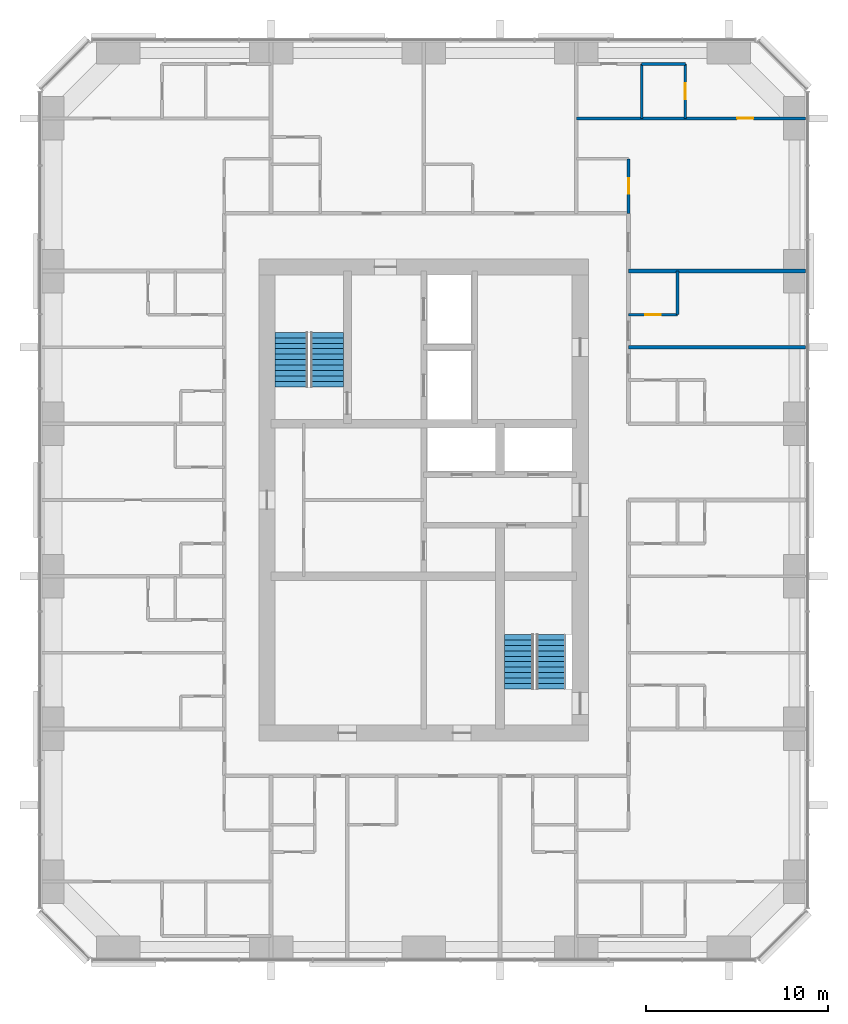
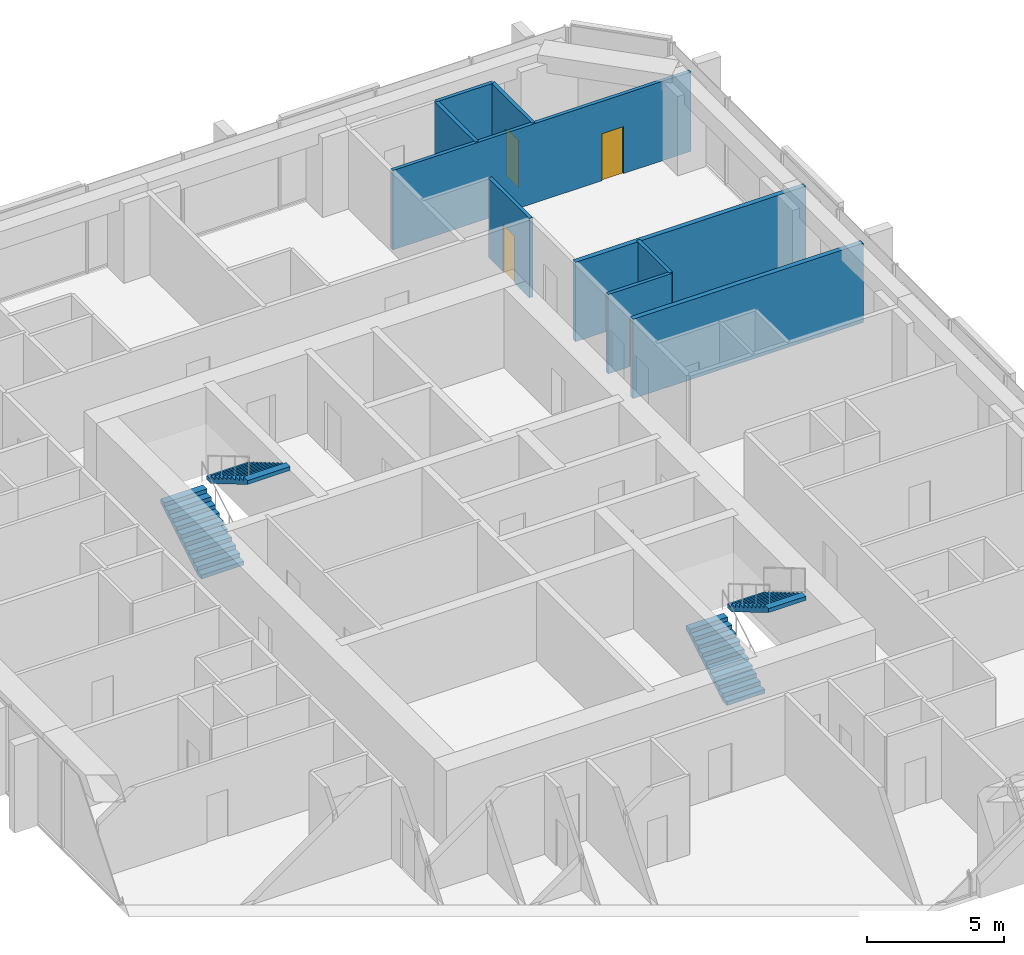
# One storey, part 11 of 12: 9 walls, 4 doors, 4 stair flights, 4 openings, 2 elements without a shape of their own.
"""IFC4 building model written with IfcOpenShell, lengths in metres."""

from ifc_helpers import new_model, si_unit, direction, frame, frame_2d, origin, place, context, subcontext, project, spatial, polyline, rectangle, outline, extrude, material, layer, layer_set, type_object, element, fill, aggregate, save


model = new_model("IFC4")

# Units and contexts
model_context = context("Model", 3, precision=1e-05, world=origin(), true_north=direction((0.0, 1.0)))
body_context = subcontext(model_context, "Body", "Model", "MODEL_VIEW")
ifc_project = project(units=[si_unit("LENGTHUNIT", "METRE"), si_unit("AREAUNIT", "SQUARE_METRE"), si_unit("VOLUMEUNIT", "CUBIC_METRE"), si_unit("PLANEANGLEUNIT", "RADIAN"), si_unit("MASSUNIT", "GRAM", prefix="KILO")], contexts=[model_context])

# Site, building, storey
site_placement = place(None, origin())
site = spatial("IfcSite", under=ifc_project, at=site_placement, CompositionType="ELEMENT")
building_placement = place(site_placement, origin())
building = spatial("IfcBuilding", under=site, at=building_placement, Name="Dunama Terrace Hotel", CompositionType="ELEMENT")
storey_placement = place(building_placement, frame((0.0, 0.0, 233.39990234375)))
storey = spatial("IfcBuildingStorey", under=building, at=storey_placement, Name="L60", CompositionType="ELEMENT", Elevation=233.39990234375)

# Wall, opening, door
ifc_material_1 = material(Name="Gypsum board partition", Category="masonry")
ifc_layer_1 = layer(ifc_material_1, 0.14990234375)
ifc_layer_set_1 = layer_set([ifc_layer_1], Name="Bathroom partition 150")
wall_type_1 = type_object("IfcWallType", Name="Bathroom partition 150", PredefinedType="PARTITIONING", material=ifc_layer_set_1)
wall_1_placement = place(storey_placement, frame((44.875, 45.175048828125, 0.0), z_axis=(0.0, 0.0, 1.0), x_axis=(0.0, 1.0, 0.0)))
wall_1 = element("IfcWall", 1, at=wall_1_placement, inside=storey, type_object=wall_type_1, Name="Bathroom partition 150 L60", PredefinedType="PARTITIONING", context=body_context, shape_type="SweptSolid", body=[
    extrude(rectangle(XDim=3.0, YDim=0.14990234375, at=frame_2d((1.5, 0.0))), origin(), (0.0, 0.0, 1.0), 3.550048828125),
])
opening_1_placement = place(wall_1_placement, frame((1.074951171875, 0.0, 0.0)))
opening_1 = element("IfcOpeningElement", 2, at=opening_1_placement, cuts=wall_1, Name="Opening L60-057", PredefinedType="OPENING", context=body_context, shape_type="SweptSolid", body=[
    extrude(rectangle(XDim=0.85009765625, YDim=2.10009765625, at=frame_2d((0.425048828125, 1.050048828125))), frame((0.0, 0.0849609375, 0.0), z_axis=(0.0, -1.0, 0.0), x_axis=(1.0, 0.0, 0.0)), (0.0, 0.0, 1.0), 0.169921875),
])
ifc_material_2 = material(Name="Timber door with steel frame", Category="steel")
door_type_1 = type_object("IfcDoorType", Name="Bathroom door 850", OperationType="SINGLE_SWING_LEFT", PredefinedType="DOOR", material=ifc_material_2)
door_1_placement = place(opening_1_placement, origin())
door_1 = element("IfcDoor", 3, at=door_1_placement, inside=storey, type_object=door_type_1, Name="Door to powder room L60-057, type D2", OperationType="SINGLE_SWING_LEFT", OverallHeight=2.10009765625, OverallWidth=0.85009765625, PredefinedType="DOOR", context=body_context, shape_type="SweptSolid", body=[
    extrude(rectangle(XDim=0.85009765625, YDim=2.10009765625, at=frame_2d((0.425048828125, 1.050048828125))), frame((0.0, 0.02490234375, 0.0), z_axis=(0.0, -1.0, 0.0), x_axis=(1.0, 0.0, 0.0)), (0.0, 0.0, 1.0), 0.050048828125),
])
fill(opening_1, door_1)

# Wall
wall_2_placement = place(storey_placement, frame((47.574951171875, 39.60009765625, 0.0), z_axis=(0.0, 0.0, 1.0), x_axis=(0.0, 1.0, 0.0)))
element("IfcWall", 4, at=wall_2_placement, inside=storey, type_object=wall_type_1, Name="Bathroom partition 150 L60", PredefinedType="PARTITIONING", context=body_context, shape_type="SweptSolid", body=[
    extrude(rectangle(XDim=2.39990234375, YDim=0.14990234375, at=frame_2d((1.199951171875, 0.0))), origin(), (0.0, 0.0, 1.0), 3.550048828125),
])

# Wall, opening, door
wall_3_placement = place(storey_placement, frame((44.875, 39.60009765625, 0.0), z_axis=(0.0, 0.0, 1.0), x_axis=(1.0, 0.0, 0.0)))
wall_3 = element("IfcWall", 5, at=wall_3_placement, inside=storey, type_object=wall_type_1, Name="Bathroom partition 150 L60", PredefinedType="PARTITIONING", context=body_context, shape_type="SweptSolid", body=[
    extrude(rectangle(XDim=2.699951171875, YDim=0.14990234375, at=frame_2d((1.35009765625, 0.0))), origin(), (0.0, 0.0, 1.0), 3.550048828125),
])
opening_2_placement = place(wall_3_placement, frame((0.925048828125, 0.0, 0.0)))
opening_2 = element("IfcOpeningElement", 6, at=opening_2_placement, cuts=wall_3, Name="Opening L60-026", PredefinedType="OPENING", context=body_context, shape_type="SweptSolid", body=[
    extrude(rectangle(XDim=0.85009765625, YDim=2.10009765625, at=frame_2d((0.425048828125, 1.050048828125))), frame((0.0, 0.0849609375, 0.0), z_axis=(0.0, -1.0, 0.0), x_axis=(1.0, 0.0, 0.0)), (0.0, 0.0, 1.0), 0.169921875),
])
door_2_placement = place(opening_2_placement, origin())
door_2 = element("IfcDoor", 7, at=door_2_placement, inside=storey, type_object=door_type_1, Name="Door to en-suite bathroom L60-026, type D2", OperationType="SINGLE_SWING_LEFT", OverallHeight=2.10009765625, OverallWidth=0.85009765625, PredefinedType="DOOR", context=body_context, shape_type="SweptSolid", body=[
    extrude(rectangle(XDim=0.85009765625, YDim=2.10009765625, at=frame_2d((0.425048828125, 1.050048828125))), frame((0.0, 0.02490234375, 0.0), z_axis=(0.0, -1.0, 0.0), x_axis=(1.0, 0.0, 0.0)), (0.0, 0.0, 1.0), 0.050048828125),
])
fill(opening_2, door_2)

# Walls
ifc_material_3 = material(Name="Concrete blockwork", Category="masonry")
ifc_layer_2 = layer(ifc_material_3, 0.199951171875)
ifc_layer_set_2 = layer_set([ifc_layer_2], Name="Party wall 200")
wall_type_2 = type_object("IfcWallType", Name="Party wall 200", PredefinedType="PARTITIONING", material=ifc_layer_set_2)
for number, where, z_axis, x_axis, name in (
    (8, (44.875, 37.800048828125, 0.0), (0.0, 0.0, 1.0), (1.0, 0.0, 0.0), "Party wall 200 L60"),
    (9, (44.875, 42.0, 0.0), (0.0, 0.0, 1.0), (1.0, 0.0, 0.0), "Party wall 200 L60"),
):
    element("IfcWall", number, at=place(storey_placement, frame(where, z_axis=z_axis, x_axis=x_axis)), inside=storey, type_object=wall_type_2, Name=name, PredefinedType="PARTITIONING", context=body_context, shape_type="SweptSolid", body=[
        extrude(rectangle(XDim=9.742919921875, YDim=0.199951171875, at=frame_2d((4.87158203125, 0.0))), origin(), (0.0, 0.0, 1.0), 3.550048828125),
    ])
ifc_material_4 = material(Name="Gypsum board partition", Category="masonry")
ifc_layer_3 = layer(ifc_material_4, 0.14990234375)
ifc_layer_set_3 = layer_set([ifc_layer_3], Name="Room partition 150")
wall_type_3 = type_object("IfcWallType", Name="Room partition 150", PredefinedType="PARTITIONING", material=ifc_layer_set_3)
wall_4_placement = place(storey_placement, frame((45.60009765625, 50.39990234375, 0.0), z_axis=(0.0, 0.0, 1.0), x_axis=(0.0, 1.0, 0.0)))
element("IfcWall", 10, at=wall_4_placement, inside=storey, type_object=wall_type_3, Name="Room partition 150 L60", PredefinedType="PARTITIONING", context=body_context, shape_type="SweptSolid", body=[
    extrude(rectangle(XDim=3.0, YDim=0.14990234375, at=frame_2d((1.5, 0.0))), origin(), (0.0, 0.0, 1.0), 3.550048828125),
])

# Wall, opening, door
wall_5_placement = place(storey_placement, frame((48.0, 50.39990234375, 0.0), z_axis=(0.0, 0.0, 1.0), x_axis=(0.0, 1.0, 0.0)))
wall_5 = element("IfcWall", 11, at=wall_5_placement, inside=storey, type_object=wall_type_3, Name="Room partition 150 L60", PredefinedType="PARTITIONING", context=body_context, shape_type="SweptSolid", body=[
    extrude(rectangle(XDim=3.0, YDim=0.14990234375, at=frame_2d((1.5, 0.0))), origin(), (0.0, 0.0, 1.0), 3.550048828125),
])
opening_3_placement = place(wall_5_placement, frame((1.050048828125, 0.0, 0.0)))
opening_3 = element("IfcOpeningElement", 12, at=opening_3_placement, cuts=wall_5, Name="Opening L60-060", PredefinedType="OPENING", context=body_context, shape_type="SweptSolid", body=[
    extrude(rectangle(XDim=0.89990234375, YDim=2.10009765625, at=frame_2d((0.449951171875, 1.050048828125))), frame((0.0, 0.0849609375, 0.0), z_axis=(0.0, -1.0, 0.0), x_axis=(1.0, 0.0, 0.0)), (0.0, 0.0, 1.0), 0.169921875),
])
ifc_material_5 = material(Name="Timber door with steel frame", Category="steel")
door_type_2 = type_object("IfcDoorType", Name="Suite internal door 900", OperationType="SINGLE_SWING_LEFT", PredefinedType="DOOR", material=ifc_material_5)
door_3_placement = place(opening_3_placement, origin())
door_3 = element("IfcDoor", 13, at=door_3_placement, inside=storey, type_object=door_type_2, Name="Door to dressing room L60-060, type D16", OperationType="SINGLE_SWING_LEFT", OverallHeight=2.10009765625, OverallWidth=0.89990234375, PredefinedType="DOOR", context=body_context, shape_type="SweptSolid", body=[
    extrude(rectangle(XDim=0.89990234375, YDim=2.10009765625, at=frame_2d((0.449951171875, 1.050048828125))), frame((0.0, 0.02490234375, 0.0), z_axis=(0.0, -1.0, 0.0), x_axis=(1.0, 0.0, 0.0)), (0.0, 0.0, 1.0), 0.050048828125),
])
fill(opening_3, door_3)

wall_6_placement = place(storey_placement, frame((42.0, 50.39990234375, 0.0), z_axis=(0.0, 0.0, 1.0), x_axis=(1.0, 0.0, 0.0)))
wall_6 = element("IfcWall", 14, at=wall_6_placement, inside=storey, type_object=wall_type_3, Name="Room partition 150 L60", PredefinedType="PARTITIONING", context=body_context, shape_type="SweptSolid", body=[
    extrude(rectangle(XDim=12.617919921875, YDim=0.14990234375, at=frame_2d((6.30908203125, 0.0))), origin(), (0.0, 0.0, 1.0), 3.550048828125),
])
opening_4_placement = place(wall_6_placement, frame((8.85009765625, 0.0, 0.0)))
opening_4 = element("IfcOpeningElement", 15, at=opening_4_placement, cuts=wall_6, Name="Opening L60-058", PredefinedType="OPENING", context=body_context, shape_type="SweptSolid", body=[
    extrude(rectangle(XDim=0.89990234375, YDim=2.10009765625, at=frame_2d((0.449951171875, 1.050048828125))), frame((0.0, 0.0849609375, 0.0), z_axis=(0.0, -1.0, 0.0), x_axis=(1.0, 0.0, 0.0)), (0.0, 0.0, 1.0), 0.169921875),
])
door_4_placement = place(opening_4_placement, origin())
door_4 = element("IfcDoor", 16, at=door_4_placement, inside=storey, type_object=door_type_2, Name="Door to grand corner suite bedroom L60-058, type D16", OperationType="SINGLE_SWING_RIGHT", OverallHeight=2.10009765625, OverallWidth=0.89990234375, PredefinedType="DOOR", context=body_context, shape_type="SweptSolid", body=[
    extrude(rectangle(XDim=0.89990234375, YDim=2.10009765625, at=frame_2d((0.449951171875, 1.050048828125))), frame((0.0, 0.02490234375, 0.0), z_axis=(0.0, -1.0, 0.0), x_axis=(1.0, 0.0, 0.0)), (0.0, 0.0, 1.0), 0.050048828125),
])
fill(opening_4, door_4)

# Wall
wall_7_placement = place(storey_placement, frame((45.60009765625, 53.39990234375, 0.0), z_axis=(0.0, 0.0, 1.0), x_axis=(1.0, 0.0, 0.0)))
element("IfcWall", 17, at=wall_7_placement, inside=storey, type_object=wall_type_3, Name="Room partition 150 L60", PredefinedType="PARTITIONING", context=body_context, shape_type="SweptSolid", body=[
    extrude(rectangle(XDim=2.39990234375, YDim=0.14990234375, at=frame_2d((1.199951171875, 0.0))), origin(), (0.0, 0.0, 1.0), 3.550048828125),
])

# Stair, stair flights
ifc_material_6 = material(Name="Concrete C40/50", Category="concrete")
stair_type_1 = type_object("IfcStairType", Name="Stair ST1-3900-1800", PredefinedType="HALF_TURN_STAIR", material=ifc_material_6)
stair_1_placement = place(storey_placement, origin())
stair_1 = element("IfcStair", 18, at=stair_1_placement, inside=storey, type_object=stair_type_1, Name="Stair ST1 L60", PredefinedType="HALF_TURN_STAIR")
ifc_material_7 = material(Name="Concrete C40/50", Category="concrete")
stair_flight_type_1 = type_object("IfcStairFlightType", Name="Stair flight ST1-3900-1800", PredefinedType="STRAIGHT", material=ifc_material_7)
stair_flight_1_placement = place(storey_placement, frame((26.324951171875, 35.625, 0.0), z_axis=(0.0, 0.0, 1.0), x_axis=(0.0, 1.0, 0.0)))
stair_flight_1 = element("IfcStairFlight", 19, at=stair_flight_1_placement, type_object=stair_flight_type_1, Name="ST1 flight 1", NumberOfRisers=11, NumberOfTreads=10, PredefinedType="STRAIGHT", RiserHeight=0.177272727, TreadLength=0.3, context=body_context, shape_type="SweptSolid", body=[
    extrude(outline(polyline([(0.0, 0.0), (0.0, 0.17724609375), (0.300048828125, 0.17724609375), (0.300048828125, 0.3544921875), (0.60009765625, 0.3544921875), (0.60009765625, 0.53173828125), (0.89990234375, 0.53173828125), (0.89990234375, 0.708984375), (1.199951171875, 0.708984375), (1.199951171875, 0.886474609375), (1.5, 0.886474609375), (1.5, 1.063720703125), (1.800048828125, 1.063720703125), (1.800048828125, 1.240966796875), (2.10009765625, 1.240966796875), (2.10009765625, 1.418212890625), (2.39990234375, 1.418212890625), (2.39990234375, 1.595458984375), (2.699951171875, 1.595458984375), (2.699951171875, 1.772705078125), (3.0, 1.772705078125), (3.0, 1.949951171875), (3.0, 1.5986328125), (0.294677734375, 0.0), (0.0, 0.0)])), frame((0.0, 0.89990234375, 0.0), z_axis=(0.0, -1.0, 0.0), x_axis=(1.0, 0.0, 0.0)), (0.0, 0.0, 1.0), 1.800048828125),
])
stair_flight_2_placement = place(storey_placement, frame((28.27490234375, 38.625, 1.9501953125), z_axis=(0.0, 0.0, 1.0), x_axis=(0.0, -1.0, 0.0)))
stair_flight_2 = element("IfcStairFlight", 20, at=stair_flight_2_placement, type_object=stair_flight_type_1, Name="ST1 flight 2", NumberOfRisers=11, NumberOfTreads=10, PredefinedType="STRAIGHT", RiserHeight=0.177272727, TreadLength=0.3, context=body_context, shape_type="SweptSolid", body=[
    extrude(outline(polyline([(0.0, 0.0), (0.0, 0.17724609375), (0.300048828125, 0.17724609375), (0.300048828125, 0.3544921875), (0.60009765625, 0.3544921875), (0.60009765625, 0.53173828125), (0.89990234375, 0.53173828125), (0.89990234375, 0.708984375), (1.199951171875, 0.708984375), (1.199951171875, 0.886474609375), (1.5, 0.886474609375), (1.5, 1.063720703125), (1.800048828125, 1.063720703125), (1.800048828125, 1.240966796875), (2.10009765625, 1.240966796875), (2.10009765625, 1.418212890625), (2.39990234375, 1.418212890625), (2.39990234375, 1.595458984375), (2.699951171875, 1.595458984375), (2.699951171875, 1.772705078125), (3.0, 1.772705078125), (3.0, 1.949951171875), (3.0, 1.5986328125), (0.294677734375, 0.0), (0.0, 0.0)])), frame((0.0, 0.89990234375, 0.0), z_axis=(0.0, -1.0, 0.0), x_axis=(1.0, 0.0, 0.0)), (0.0, 0.0, 1.0), 1.800048828125),
])
aggregate(stair_1, [stair_flight_1, stair_flight_2])

ifc_material_8 = material(Name="Concrete C40/50", Category="concrete")
stair_type_2 = type_object("IfcStairType", Name="Stair ST2-3900-1600", PredefinedType="HALF_TURN_STAIR", material=ifc_material_8)
stair_2_placement = place(storey_placement, origin())
stair_2 = element("IfcStair", 21, at=stair_2_placement, inside=storey, type_object=stair_type_2, Name="Stair ST2 L60", PredefinedType="HALF_TURN_STAIR")
ifc_material_9 = material(Name="Concrete C40/50", Category="concrete")
stair_flight_type_2 = type_object("IfcStairFlightType", Name="Stair flight ST2-3900-1600", PredefinedType="STRAIGHT", material=ifc_material_9)
stair_flight_3_placement = place(storey_placement, frame((38.85009765625, 19.0, 0.0), z_axis=(0.0, 0.0, 1.0), x_axis=(0.0, 1.0, 0.0)))
stair_flight_3 = element("IfcStairFlight", 22, at=stair_flight_3_placement, type_object=stair_flight_type_2, Name="ST2 flight 1", NumberOfRisers=11, NumberOfTreads=10, PredefinedType="STRAIGHT", RiserHeight=0.177272727, TreadLength=0.3, context=body_context, shape_type="SweptSolid", body=[
    extrude(outline(polyline([(0.0, 0.0), (0.0, 0.17724609375), (0.300048828125, 0.17724609375), (0.300048828125, 0.3544921875), (0.60009765625, 0.3544921875), (0.60009765625, 0.53173828125), (0.89990234375, 0.53173828125), (0.89990234375, 0.708984375), (1.199951171875, 0.708984375), (1.199951171875, 0.886474609375), (1.5, 0.886474609375), (1.5, 1.063720703125), (1.800048828125, 1.063720703125), (1.800048828125, 1.240966796875), (2.10009765625, 1.240966796875), (2.10009765625, 1.418212890625), (2.39990234375, 1.418212890625), (2.39990234375, 1.595458984375), (2.699951171875, 1.595458984375), (2.699951171875, 1.772705078125), (3.0, 1.772705078125), (3.0, 1.949951171875), (3.0, 1.5986328125), (0.294677734375, 0.0), (0.0, 0.0)])), frame((0.0, 0.800048828125, 0.0), z_axis=(0.0, -1.0, 0.0), x_axis=(1.0, 0.0, 0.0)), (0.0, 0.0, 1.0), 1.60009765625),
])
stair_flight_4_placement = place(storey_placement, frame((40.60009765625, 22.0, 1.9501953125), z_axis=(0.0, 0.0, 1.0), x_axis=(0.0, -1.0, 0.0)))
stair_flight_4 = element("IfcStairFlight", 23, at=stair_flight_4_placement, type_object=stair_flight_type_2, Name="ST2 flight 2", NumberOfRisers=11, NumberOfTreads=10, PredefinedType="STRAIGHT", RiserHeight=0.177272727, TreadLength=0.3, context=body_context, shape_type="SweptSolid", body=[
    extrude(outline(polyline([(0.0, 0.0), (0.0, 0.17724609375), (0.300048828125, 0.17724609375), (0.300048828125, 0.3544921875), (0.60009765625, 0.3544921875), (0.60009765625, 0.53173828125), (0.89990234375, 0.53173828125), (0.89990234375, 0.708984375), (1.199951171875, 0.708984375), (1.199951171875, 0.886474609375), (1.5, 0.886474609375), (1.5, 1.063720703125), (1.800048828125, 1.063720703125), (1.800048828125, 1.240966796875), (2.10009765625, 1.240966796875), (2.10009765625, 1.418212890625), (2.39990234375, 1.418212890625), (2.39990234375, 1.595458984375), (2.699951171875, 1.595458984375), (2.699951171875, 1.772705078125), (3.0, 1.772705078125), (3.0, 1.949951171875), (3.0, 1.5986328125), (0.294677734375, 0.0), (0.0, 0.0)])), frame((0.0, 0.800048828125, 0.0), z_axis=(0.0, -1.0, 0.0), x_axis=(1.0, 0.0, 0.0)), (0.0, 0.0, 1.0), 1.60009765625),
])
aggregate(stair_2, [stair_flight_3, stair_flight_4])

save(model, "model.ifc")
